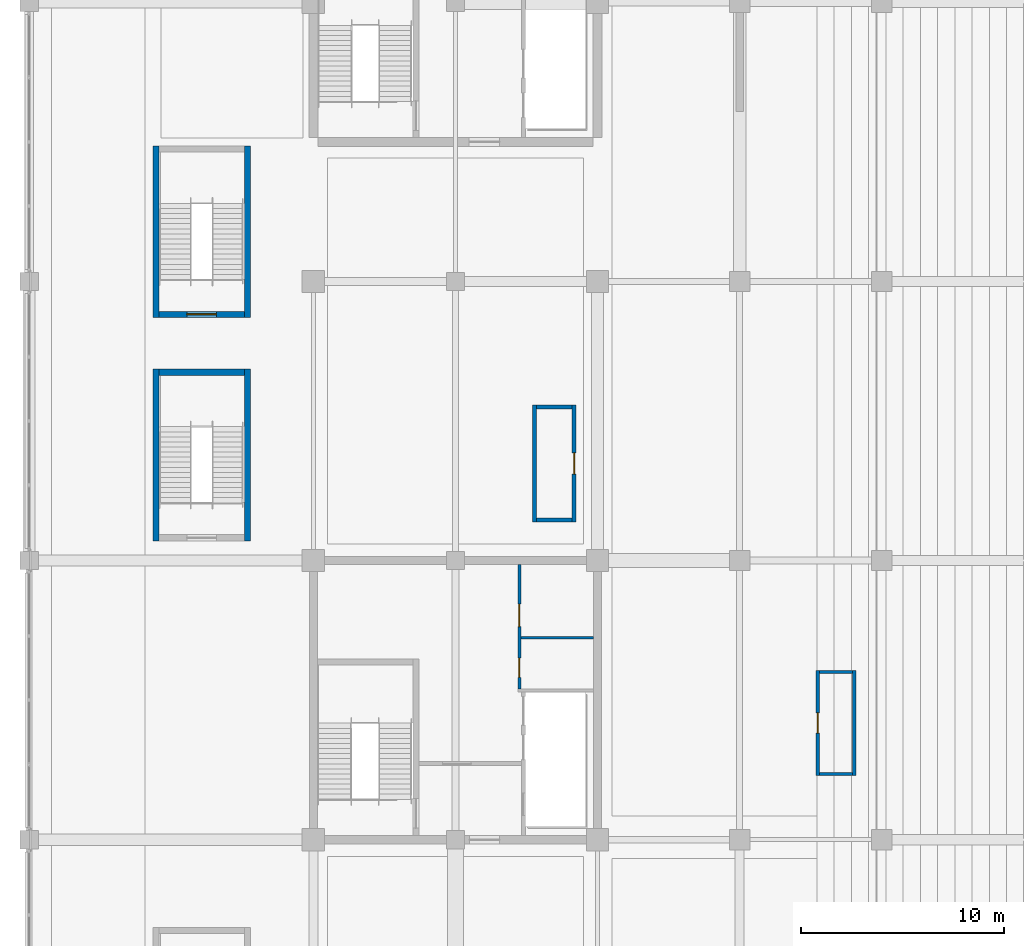
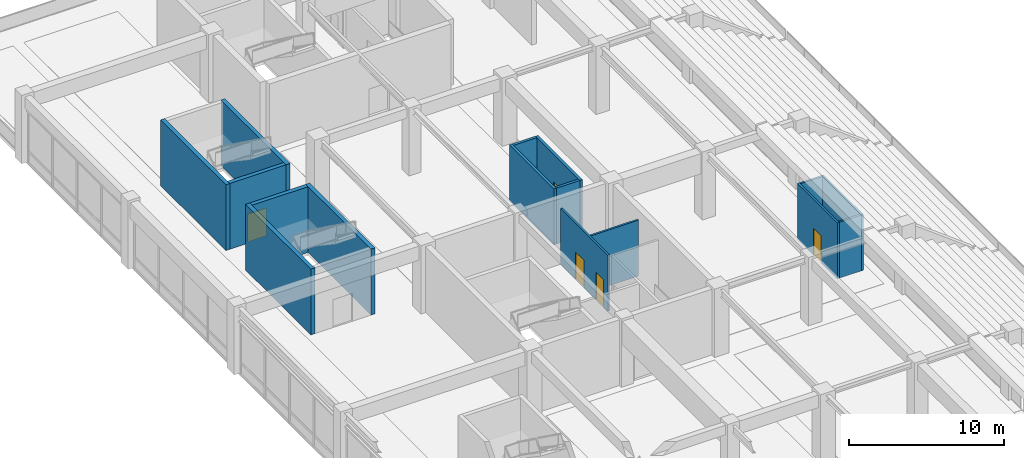
# One storey, part 91 of 117: 16 walls, 5 doors, 5 openings.
"""IFC4 building model written with IfcOpenShell, lengths in metres."""

import ifcopenshell
import ifcopenshell.guid

model = None  # the IFC model being written
_history = None  # IfcOwnerHistory: only IFC2X3 demands one
_inside = {}  # id of a spatial element -> (the spatial element, [elements in it])
_under = {}  # id of a project, library or spatial element -> (it, [spatial elements below it])
_declared = {}  # id of a project -> (the project, [libraries it declares])
_typed = {}  # id of a type object -> (the type object, [elements of that type])
_made_of = {}  # id of a material, layer set ... -> (it, [elements and type objects made of it])


def new_model(schema):
    """Start an empty IFC model of exactly this schema.

    Asked for "IFC4X3", IfcOpenShell would pick the latest addendum, in which some entities
    have other attributes; the version numbers below select the first issue.
    IFC2X3 requires an IfcOwnerHistory on every rooted entity: one is made here for all.
    """
    global model, _history
    if schema == "IFC4X3":
        model = ifcopenshell.file(schema_version=(4, 3, 0, 0))
    else:
        model = ifcopenshell.file(schema=schema)
    _inside.clear()
    _under.clear()
    _declared.clear()
    _typed.clear()
    _made_of.clear()
    _history = None
    if model.schema == "IFC2X3":
        org = make("IfcOrganization", Name="unknown")
        user = make(
            "IfcPersonAndOrganization",
            ThePerson=make("IfcPerson", FamilyName="unknown"),
            TheOrganization=org,
        )
        app = make(
            "IfcApplication",
            ApplicationDeveloper=org,
            Version="unknown",
            ApplicationFullName="unknown",
            ApplicationIdentifier="unknown",
        )
        _history = make(
            "IfcOwnerHistory",
            OwningUser=user,
            OwningApplication=app,
            ChangeAction="ADDED",
            CreationDate=0,
        )
    return model


def make(cls, **values):
    """One entity of the class cls with the attributes given. An attribute that is None is left unset."""
    return model.create_entity(
        cls, **{name: value for name, value in values.items() if value is not None}
    )


def rooted(cls, **values):
    """An entity with a GlobalId (a new one), such as an element, a storey or a relation."""
    return make(cls, GlobalId=ifcopenshell.guid.new(), OwnerHistory=_history, **values)


def si_unit(unit_type, name, prefix=None):
    """IfcSIUnit, for example si_unit("LENGTHUNIT", "METRE", prefix="MILLI")."""
    return make("IfcSIUnit", UnitType=unit_type, Prefix=prefix, Name=name)


def assignment(units):
    """IfcUnitAssignment: the units of a project."""
    return None if units is None else make("IfcUnitAssignment", Units=units)


def point(xyz):
    """IfcCartesianPoint."""
    return None if xyz is None else make("IfcCartesianPoint", Coordinates=xyz)


def direction(xyz):
    """IfcDirection."""
    return None if xyz is None else make("IfcDirection", DirectionRatios=xyz)


def frame(location, z_axis=None, x_axis=None):
    """IfcAxis2Placement3D, a coordinate frame: its origin and axes. An axis left out is left unset."""
    return make(
        "IfcAxis2Placement3D",
        Location=point(location),
        Axis=direction(z_axis),
        RefDirection=direction(x_axis),
    )


def frame_2d(location, x_axis=None):
    """IfcAxis2Placement2D, a coordinate frame in the plane: its origin and x axis."""
    return make(
        "IfcAxis2Placement2D", Location=point(location), RefDirection=direction(x_axis)
    )


def origin():
    """The frame at (0, 0, 0) with its axes left unset."""
    return frame((0.0, 0.0, 0.0))


def place(relative_to, where):
    """IfcLocalPlacement: puts the frame where relative to a parent placement (None: the world)."""
    return make(
        "IfcLocalPlacement", PlacementRelTo=relative_to, RelativePlacement=where
    )


def context(
    kind, dimensions, precision=None, world=None, true_north=None, identifier=None
):
    """IfcGeometricRepresentationContext, for example the 3D "Model" context."""
    return make(
        "IfcGeometricRepresentationContext",
        ContextIdentifier=identifier,
        ContextType=kind,
        CoordinateSpaceDimension=dimensions,
        Precision=precision,
        WorldCoordinateSystem=world,
        TrueNorth=true_north,
    )


def subcontext(parent, identifier, kind, view, scale=None):
    """IfcGeometricRepresentationSubContext, for example "Body" below "Model"."""
    return make(
        "IfcGeometricRepresentationSubContext",
        ContextIdentifier=identifier,
        ContextType=kind,
        ParentContext=parent,
        TargetScale=scale,
        TargetView=view,
    )


def project(units=None, contexts=None):
    """IfcProject with its units and contexts."""
    return rooted(
        "IfcProject",
        Name="project",
        RepresentationContexts=contexts,
        UnitsInContext=assignment(units),
    )


def spatial(cls, under=None, at=None, **own):
    """A site, building, storey or space (cls), placed at a placement, below another one or the project."""
    s = rooted(cls, ObjectPlacement=at, **own)
    if under is not None:
        _under.setdefault(under.id(), (under, []))[1].append(s)
    return s


def profile(cls, at=None, kind="AREA", **sizes):
    """A parametric profile (cls). Its sizes go by their IFC names, for example OverallWidth=200.0."""
    return make(cls, ProfileType=kind, Position=at, **sizes)


def rectangle(**sizes):
    """IfcRectangleProfileDef."""
    return profile("IfcRectangleProfileDef", **sizes)


def extrude(swept, where, along, depth):
    """IfcExtrudedAreaSolid: the profile swept, set in the frame where, extruded along a direction by depth."""
    return make(
        "IfcExtrudedAreaSolid",
        SweptArea=swept,
        Position=where,
        ExtrudedDirection=direction(along),
        Depth=depth,
    )


def shape(context_of_items, identifier, shape_type, items):
    """IfcShapeRepresentation: the items that make up one representation, for example the "Body"."""
    return make(
        "IfcShapeRepresentation",
        ContextOfItems=context_of_items,
        RepresentationIdentifier=identifier,
        RepresentationType=shape_type,
        Items=items,
    )


def material(Name=None, Category=None):
    """IfcMaterial."""
    return make("IfcMaterial", Name=Name, Category=Category)


def layer(
    of_material, thickness, ventilated=None, Name=None, Category=None, Priority=None
):
    """IfcMaterialLayer: one layer of a wall or slab, of a material (None: an air gap)."""
    return make(
        "IfcMaterialLayer",
        Material=of_material,
        LayerThickness=thickness,
        IsVentilated=ventilated,
        Name=Name,
        Category=Category,
        Priority=Priority,
    )


def layer_set(layers, Name=None):
    """IfcMaterialLayerSet."""
    return make("IfcMaterialLayerSet", MaterialLayers=layers, LayerSetName=Name)


def made_of(thing, what):
    """Note that an element or type object is made of a material, layer set ...; save() writes the relation."""
    if what is not None:
        _made_of.setdefault(what.id(), (what, []))[1].append(thing)
    return thing


def type_object(cls, material=None, **own):
    """A type object (cls), such as IfcWallType, which elements share."""
    return made_of(rooted(cls, **own), material)


def element(
    cls,
    number,
    at=None,
    inside=None,
    cuts=None,
    type_object=None,
    material=None,
    context=None,
    identifier="Body",
    shape_type=None,
    held_by="IfcProductDefinitionShape",
    body=None,
    shapes=None,
    **own,
):
    """One element of the class cls, such as IfcWall. Its Tag is "e" and its number.

    at: its placement. inside: the storey or other place that contains it. cuts: it is an
    opening in that element (IfcRelVoidsElement). A single representation is given by context,
    identifier, shape_type and body (its items); several are given by shapes. held_by: the class
    of the entity that holds the representations. save() writes the other relations.
    """
    e = rooted(cls, Tag="e%d" % number, ObjectPlacement=at, **own)
    if body is not None:
        shapes = [shape(context, identifier, shape_type, body)]
    if shapes is not None:
        e.Representation = make(held_by, Representations=shapes)
    if inside is not None:
        _inside.setdefault(inside.id(), (inside, []))[1].append(e)
    if cuts is not None:
        rooted(
            "IfcRelVoidsElement", RelatingBuildingElement=cuts, RelatedOpeningElement=e
        )
    if type_object is not None:
        _typed.setdefault(type_object.id(), (type_object, []))[1].append(e)
    return made_of(e, material)


def fill(opening, filler):
    """IfcRelFillsElement: the door or window that sits in an opening."""
    return rooted(
        "IfcRelFillsElement",
        RelatingOpeningElement=opening,
        RelatedBuildingElement=filler,
    )


def aggregate(whole, parts):
    """IfcRelAggregates: a whole, such as a stair, and the parts it consists of."""
    return rooted("IfcRelAggregates", RelatingObject=whole, RelatedObjects=parts)


def save(model, path):
    """Write the relations noted so far, then the file.

    IfcRelAggregates (storeys below a building ...), IfcRelContainedInSpatialStructure (elements
    in a storey), IfcRelDefinesByType, IfcRelAssociatesMaterial and IfcRelDeclares: one each for
    every whole, place, type object, material and project.
    """
    for whole, parts in _under.values():
        aggregate(whole, parts)
    for where, things in _inside.values():
        rooted(
            "IfcRelContainedInSpatialStructure",
            RelatedElements=things,
            RelatingStructure=where,
        )
    for kind, things in _typed.values():
        rooted("IfcRelDefinesByType", RelatedObjects=things, RelatingType=kind)
    for what, things in _made_of.values():
        rooted("IfcRelAssociatesMaterial", RelatedObjects=things, RelatingMaterial=what)
    for by, libraries in _declared.values():
        rooted("IfcRelDeclares", RelatingContext=by, RelatedDefinitions=libraries)
    model.write(path)


model = new_model("IFC4")

# Units and contexts
model_context = context("Model", 3, precision=1e-05, world=origin(), true_north=direction((0.0, 1.0)))
body_context = subcontext(model_context, "Body", "Model", "MODEL_VIEW")
ifc_project = project(units=[si_unit("LENGTHUNIT", "METRE"), si_unit("AREAUNIT", "SQUARE_METRE"), si_unit("VOLUMEUNIT", "CUBIC_METRE"), si_unit("PLANEANGLEUNIT", "RADIAN"), si_unit("MASSUNIT", "GRAM", prefix="KILO")], contexts=[model_context])

# Site, building, storey
site_placement = place(None, origin())
site = spatial("IfcSite", under=ifc_project, at=site_placement, CompositionType="ELEMENT")
building_placement = place(site_placement, origin())
building = spatial("IfcBuilding", under=site, at=building_placement, Name="Linyun Crest Stadium", CompositionType="ELEMENT")
storey_placement = place(building_placement, frame((0.0, 0.0, 6.0)))
storey = spatial("IfcBuildingStorey", under=building, at=storey_placement, Name="L02", CompositionType="ELEMENT", Elevation=6.0)

# Wall, openings, doors
ifc_material_1 = material(Name="Moisture-resistant ceramic-tiled wet-room wall")
ifc_layer_1 = layer(ifc_material_1, 0.139892578125)
ifc_layer_set_1 = layer_set([ifc_layer_1], Name="Moisture-resistant ceramic-tiled wet-room wall")
wall_type_1 = type_object("IfcWallType", Name="PW15", PredefinedType="PARTITIONING", material=ifc_layer_set_1)
wall_1_placement = place(storey_placement, frame((-73.85009765625, 9.544921875, 0.0), z_axis=(0.0, 0.0, 1.0), x_axis=(0.0, 1.0, 0.0)))
wall_1 = element("IfcWall", 1, at=wall_1_placement, inside=storey, type_object=wall_type_1, Name="Partition PW15 L02 30", PredefinedType="PARTITIONING", context=body_context, shape_type="SweptSolid", body=[
    extrude(rectangle(XDim=6.130126953125, YDim=0.139892578125, at=frame_2d((3.06494140625, 0.0))), origin(), (0.0, 0.0, 1.0), 4.419921875),
])
opening_1_placement = place(wall_1_placement, frame((0.580078125, 0.0, 0.0)))
opening_1 = element("IfcOpeningElement", 2, at=opening_1_placement, cuts=wall_1, Name="Opening D-L02-072", PredefinedType="OPENING", context=body_context, shape_type="SweptSolid", body=[
    extrude(rectangle(XDim=0.949951171875, YDim=2.14990234375, at=frame_2d((0.47509765625, 1.074951171875))), frame((0.0, 0.079833984375, 0.0), z_axis=(0.0, -1.0, 0.0), x_axis=(1.0, 0.0, 0.0)), (0.0, 0.0, 1.0), 0.159912109375),
])
opening_2_placement = place(wall_1_placement, frame((3.080078125, 0.0, 0.0)))
opening_2 = element("IfcOpeningElement", 3, at=opening_2_placement, cuts=wall_1, Name="Opening D-L02-073", PredefinedType="OPENING", context=body_context, shape_type="SweptSolid", body=[
    extrude(rectangle(XDim=1.10009765625, YDim=2.14990234375, at=frame_2d((0.550048828125, 1.074951171875))), frame((0.0, 0.079833984375, 0.0), z_axis=(0.0, -1.0, 0.0), x_axis=(1.0, 0.0, 0.0)), (0.0, 0.0, 1.0), 0.159912109375),
])
ifc_material_2 = material(Name="Moisture-resistant laminate leaf")
ifc_layer_2 = layer(ifc_material_2, 0.044921875)
ifc_layer_set_2 = layer_set([ifc_layer_2], Name="Moisture-resistant laminate leaf")
door_type_1 = type_object("IfcDoorType", Name="ID02", OperationType="NOTDEFINED", PredefinedType="DOOR", material=ifc_layer_set_2)
door_1_placement = place(opening_1_placement, origin())
door_1 = element("IfcDoor", 4, at=door_1_placement, inside=storey, type_object=door_type_1, Name="Door D-L02-072", OperationType="SINGLE_SWING_RIGHT", OverallHeight=2.14990234375, OverallWidth=0.949951171875, PredefinedType="DOOR", context=body_context, shape_type="SweptSolid", body=[
    extrude(rectangle(XDim=0.949951171875, YDim=2.14990234375, at=frame_2d((0.47509765625, 1.074951171875))), frame((0.0, 0.02490234375, 0.0), z_axis=(0.0, -1.0, 0.0), x_axis=(1.0, 0.0, 0.0)), (0.0, 0.0, 1.0), 0.050048828125),
])
fill(opening_1, door_1)
ifc_material_3 = material(Name="Moisture-resistant laminate leaf")
ifc_layer_3 = layer(ifc_material_3, 0.044921875)
ifc_layer_set_3 = layer_set([ifc_layer_3], Name="Moisture-resistant laminate leaf")
door_type_2 = type_object("IfcDoorType", Name="ID03", OperationType="NOTDEFINED", PredefinedType="DOOR", material=ifc_layer_set_3)
door_2_placement = place(opening_2_placement, origin())
door_2 = element("IfcDoor", 5, at=door_2_placement, inside=storey, type_object=door_type_2, Name="Door D-L02-073", OperationType="SINGLE_SWING_LEFT", OverallHeight=2.14990234375, OverallWidth=1.10009765625, PredefinedType="DOOR", context=body_context, shape_type="SweptSolid", body=[
    extrude(rectangle(XDim=1.10009765625, YDim=2.14990234375, at=frame_2d((0.550048828125, 1.074951171875))), frame((0.0, 0.02490234375, 0.0), z_axis=(0.0, -1.0, 0.0), x_axis=(1.0, 0.0, 0.0)), (0.0, 0.0, 1.0), 0.050048828125),
])
fill(opening_2, door_2)

# Wall
wall_2_placement = place(storey_placement, frame((-73.780029296875, 12.074951171875, 0.0), z_axis=(0.0, 0.0, 1.0), x_axis=(1.0, 0.0, 0.0)))
element("IfcWall", 6, at=wall_2_placement, inside=storey, type_object=wall_type_1, Name="Enclosure partition PW15 L02 20", PredefinedType="PARTITIONING", context=body_context, shape_type="SweptSolid", body=[
    extrude(rectangle(XDim=3.580078125, YDim=0.139892578125, at=frame_2d((1.7900390625, 0.0))), origin(), (0.0, 0.0, 1.0), 4.419921875),
])

# Wall, opening, door
ifc_material_4 = material(Name="Medical and doping-control hygienic partition")
ifc_layer_4 = layer(ifc_material_4, 0.155029296875)
ifc_layer_set_4 = layer_set([ifc_layer_4], Name="Medical and doping-control hygienic partition")
wall_type_2 = type_object("IfcWallType", Name="PW23", PredefinedType="PARTITIONING", material=ifc_layer_set_4)
wall_3_placement = place(storey_placement, frame((-59.156005859375, 5.287109375, 0.0), z_axis=(0.0, 0.0, 1.0), x_axis=(0.0, 1.0, 0.0)))
wall_3 = element("IfcWall", 7, at=wall_3_placement, inside=storey, type_object=wall_type_2, Name="Partition PW23 L02 183", PredefinedType="PARTITIONING", context=body_context, shape_type="SweptSolid", body=[
    extrude(rectangle(XDim=5.179931640625, YDim=0.155029296875, at=frame_2d((2.58984375, 0.0))), origin(), (0.0, 0.0, 1.0), 4.419921875),
])
opening_3_placement = place(wall_3_placement, frame((2.090087890625, 0.0, 0.0)))
opening_3 = element("IfcOpeningElement", 8, at=opening_3_placement, cuts=wall_3, Name="Opening D-L02-446", PredefinedType="OPENING", context=body_context, shape_type="SweptSolid", body=[
    extrude(rectangle(XDim=1.0, YDim=2.14990234375, at=frame_2d((0.5, 1.074951171875))), frame((0.0, 0.08740234375, 0.0), z_axis=(0.0, -1.0, 0.0), x_axis=(1.0, 0.0, 0.0)), (0.0, 0.0, 1.0), 0.175048828125),
])
ifc_material_5 = material(Name="Hardwood veneer acoustic leaf", Category="wood")
ifc_layer_5 = layer(ifc_material_5, 0.044921875)
ifc_layer_set_5 = layer_set([ifc_layer_5], Name="Hardwood veneer acoustic leaf")
door_type_3 = type_object("IfcDoorType", Name="ID01", OperationType="NOTDEFINED", PredefinedType="DOOR", material=ifc_layer_set_5)
door_3_placement = place(opening_3_placement, origin())
door_3 = element("IfcDoor", 9, at=door_3_placement, inside=storey, type_object=door_type_3, Name="Door D-L02-446", OperationType="SINGLE_SWING_RIGHT", OverallHeight=2.14990234375, OverallWidth=1.0, PredefinedType="DOOR", context=body_context, shape_type="SweptSolid", body=[
    extrude(rectangle(XDim=1.0, YDim=2.14990234375, at=frame_2d((0.5, 1.074951171875))), frame((0.0, 0.02490234375, 0.0), z_axis=(0.0, -1.0, 0.0), x_axis=(1.0, 0.0, 0.0)), (0.0, 0.0, 1.0), 0.050048828125),
])
fill(opening_3, door_3)

# Walls
wall_4_placement = place(storey_placement, frame((-57.35595703125, 5.287109375, 0.0), z_axis=(0.0, 0.0, 1.0), x_axis=(0.0, 1.0, 0.0)))
element("IfcWall", 10, at=wall_4_placement, inside=storey, type_object=wall_type_2, Name="Enclosure partition PW23 L02 265", PredefinedType="PARTITIONING", context=body_context, shape_type="SweptSolid", body=[
    extrude(rectangle(XDim=5.179931640625, YDim=0.155029296875, at=frame_2d((2.58984375, 0.0))), origin(), (0.0, 0.0, 1.0), 4.419921875),
])
for number, where, z_axis, x_axis, name in (
    (11, (-59.077880859375, 5.364990234375, 0.0), (0.0, 0.0, 1.0), (1.0, 0.0, 0.0), "Enclosure partition PW23 L02 266"),
    (12, (-59.077880859375, 10.388916015625, 0.0), (0.0, 0.0, 1.0), (1.0, 0.0, 0.0), "Enclosure partition PW23 L02 267"),
):
    element("IfcWall", number, at=place(storey_placement, frame(where, z_axis=z_axis, x_axis=x_axis)), inside=storey, type_object=wall_type_2, Name=name, PredefinedType="PARTITIONING", context=body_context, shape_type="SweptSolid", body=[
        extrude(rectangle(XDim=1.643798828125, YDim=0.155029296875, at=frame_2d((0.82177734375, 0.0))), origin(), (0.0, 0.0, 1.0), 4.419921875),
    ])

# Wall, opening, door
ifc_material_6 = material(Name="Ticketing hall security partition")
ifc_layer_6 = layer(ifc_material_6, 0.18994140625)
ifc_layer_set_6 = layer_set([ifc_layer_6], Name="Ticketing hall security partition")
wall_type_3 = type_object("IfcWallType", Name="PW25", PredefinedType="PARTITIONING", material=ifc_layer_set_6)
wall_5_placement = place(storey_placement, frame((-71.158935546875, 23.541015625, 0.0), z_axis=(0.0, 0.0, 1.0), x_axis=(0.0, -1.0, 0.0)))
wall_5 = element("IfcWall", 13, at=wall_5_placement, inside=storey, type_object=wall_type_3, Name="Partition PW25 L02 185", PredefinedType="PARTITIONING", context=body_context, shape_type="SweptSolid", body=[
    extrude(rectangle(XDim=5.760009765625, YDim=0.18994140625, at=frame_2d((2.8798828125, 0.0))), origin(), (0.0, 0.0, 1.0), 4.419921875),
])
opening_4_placement = place(wall_5_placement, frame((2.35498046875, 0.0, 0.0)))
opening_4 = element("IfcOpeningElement", 14, at=opening_4_placement, cuts=wall_5, Name="Opening D-L02-448", PredefinedType="OPENING", context=body_context, shape_type="SweptSolid", body=[
    extrude(rectangle(XDim=1.050048828125, YDim=2.25, at=frame_2d((0.52490234375, 1.125))), frame((0.0, 0.10498046875, 0.0), z_axis=(0.0, -1.0, 0.0), x_axis=(1.0, 0.0, 0.0)), (0.0, 0.0, 1.0), 0.2099609375),
])
ifc_material_7 = material(Name="Walnut and brass Art Nouveau door")
ifc_layer_7 = layer(ifc_material_7, 0.050048828125)
ifc_layer_set_7 = layer_set([ifc_layer_7], Name="Walnut and brass Art Nouveau door")
door_type_4 = type_object("IfcDoorType", Name="ID05", OperationType="NOTDEFINED", PredefinedType="DOOR", material=ifc_layer_set_7)
door_4_placement = place(opening_4_placement, origin())
door_4 = element("IfcDoor", 15, at=door_4_placement, inside=storey, type_object=door_type_4, Name="Door D-L02-448", OperationType="SINGLE_SWING_RIGHT", OverallHeight=2.25, OverallWidth=1.050048828125, PredefinedType="DOOR", context=body_context, shape_type="SweptSolid", body=[
    extrude(rectangle(XDim=1.050048828125, YDim=2.25, at=frame_2d((0.52490234375, 1.125))), frame((0.0, 0.02490234375, 0.0), z_axis=(0.0, -1.0, 0.0), x_axis=(1.0, 0.0, 0.0)), (0.0, 0.0, 1.0), 0.050048828125),
])
fill(opening_4, door_4)

# Walls
wall_6_placement = place(storey_placement, frame((-73.09912109375, 17.781005859375, 0.0), z_axis=(0.0, 0.0, 1.0), x_axis=(0.0, 1.0, 0.0)))
element("IfcWall", 16, at=wall_6_placement, inside=storey, type_object=wall_type_3, Name="Enclosure partition PW25 L02 271", PredefinedType="PARTITIONING", context=body_context, shape_type="SweptSolid", body=[
    extrude(rectangle(XDim=5.760009765625, YDim=0.18994140625, at=frame_2d((2.8798828125, 0.0))), origin(), (0.0, 0.0, 1.0), 4.419921875),
])
for number, where, z_axis, x_axis, name in (
    (17, (-73.00390625, 17.8759765625, 0.0), (0.0, 0.0, 1.0), (1.0, 0.0, 0.0), "Enclosure partition PW25 L02 272"),
    (18, (-73.00390625, 23.446044921875, 0.0), (0.0, 0.0, 1.0), (1.0, 0.0, 0.0), "Enclosure partition PW25 L02 273"),
):
    element("IfcWall", number, at=place(storey_placement, frame(where, z_axis=z_axis, x_axis=x_axis)), inside=storey, type_object=wall_type_3, Name=name, PredefinedType="PARTITIONING", context=body_context, shape_type="SweptSolid", body=[
        extrude(rectangle(XDim=1.75, YDim=0.18994140625, at=frame_2d((0.875, 0.0))), origin(), (0.0, 0.0, 1.0), 4.419921875),
    ])
ifc_material_8 = material(Name="Concrete C50", Category="concrete")
ifc_layer_8 = layer(ifc_material_8, 0.300048828125)
ifc_layer_set_8 = layer_set([ifc_layer_8], Name="Concrete C50")
wall_type_4 = type_object("IfcWallType", Name="SW01", PredefinedType="SHEAR", material=ifc_layer_set_8)
wall_7_placement = place(storey_placement, frame((-91.60009765625, 25.14990234375, 0.0), z_axis=(0.0, 0.0, 1.0), x_axis=(1.0, 0.0, 0.0)))
element("IfcWall", 19, at=wall_7_placement, inside=storey, type_object=wall_type_4, Name="Stair shaft wall SW01 STR-16 L02 N", PredefinedType="SHEAR", context=body_context, shape_type="SweptSolid", body=[
    extrude(rectangle(XDim=4.2001953125, YDim=0.300048828125, at=frame_2d((2.10009765625, 0.0))), origin(), (0.0, 0.0, 1.0), 5.199951171875),
])
for number, where, z_axis, x_axis, name in (
    (20, (-91.75, 16.85009765625, 0.0), (0.0, 0.0, 1.0), (0.0, 1.0, 0.0), "Stair shaft wall SW01 STR-16 L02 W"),
    (21, (-87.25, 16.85009765625, 0.0), (0.0, 0.0, 1.0), (0.0, 1.0, 0.0), "Stair shaft wall SW01 STR-16 L02 E"),
):
    element("IfcWall", number, at=place(storey_placement, frame(where, z_axis=z_axis, x_axis=x_axis)), inside=storey, type_object=wall_type_4, Name=name, PredefinedType="SHEAR", context=body_context, shape_type="SweptSolid", body=[
        extrude(rectangle(XDim=8.449951171875, YDim=0.300048828125, at=frame_2d((4.22509765625, 0.0))), origin(), (0.0, 0.0, 1.0), 5.199951171875),
    ])

# Wall, opening, door
wall_8_placement = place(storey_placement, frame((-91.60009765625, 28.0, 0.0), z_axis=(0.0, 0.0, 1.0), x_axis=(1.0, 0.0, 0.0)))
wall_8 = element("IfcWall", 22, at=wall_8_placement, inside=storey, type_object=wall_type_4, Name="Stair shaft wall SW01 STR-17 L02 S", PredefinedType="SHEAR", context=body_context, shape_type="SweptSolid", body=[
    extrude(rectangle(XDim=4.2001953125, YDim=0.300048828125, at=frame_2d((2.10009765625, 0.0))), origin(), (0.0, 0.0, 1.0), 5.199951171875),
])
opening_5_placement = place(wall_8_placement, frame((1.375, 0.0, 0.0)))
opening_5 = element("IfcOpeningElement", 23, at=opening_5_placement, cuts=wall_8, Name="Opening D-L02-563", PredefinedType="OPENING", context=body_context, shape_type="SweptSolid", body=[
    extrude(rectangle(XDim=1.449951171875, YDim=2.199951171875, at=frame_2d((0.72509765625, 1.10009765625))), frame((0.0, 0.159912109375, 0.0), z_axis=(0.0, -1.0, 0.0), x_axis=(1.0, 0.0, 0.0)), (0.0, 0.0, 1.0), 0.320068359375),
])
ifc_material_9 = material(Name="Galvanized steel Class A fire door", Category="steel")
ifc_layer_9 = layer(ifc_material_9, 0.054931640625)
ifc_layer_set_9 = layer_set([ifc_layer_9], Name="Galvanized steel Class A fire door")
door_type_5 = type_object("IfcDoorType", Name="FD02", OperationType="NOTDEFINED", PredefinedType="DOOR", material=ifc_layer_set_9)
door_5_placement = place(opening_5_placement, origin())
door_5 = element("IfcDoor", 24, at=door_5_placement, inside=storey, type_object=door_type_5, Name="Door D-L02-563", OperationType="SINGLE_SWING_LEFT", OverallHeight=2.199951171875, OverallWidth=1.449951171875, PredefinedType="DOOR", context=body_context, shape_type="SweptSolid", body=[
    extrude(rectangle(XDim=1.449951171875, YDim=2.199951171875, at=frame_2d((0.72509765625, 1.10009765625))), frame((0.0, 0.02490234375, 0.0), z_axis=(0.0, -1.0, 0.0), x_axis=(1.0, 0.0, 0.0)), (0.0, 0.0, 1.0), 0.050048828125),
])
fill(opening_5, door_5)

# Walls
for number, where, z_axis, x_axis, name in (
    (25, (-91.75, 27.85009765625, 0.0), (0.0, 0.0, 1.0), (0.0, 1.0, 0.0), "Stair shaft wall SW01 STR-17 L02 W"),
    (26, (-87.25, 27.85009765625, 0.0), (0.0, 0.0, 1.0), (0.0, 1.0, 0.0), "Stair shaft wall SW01 STR-17 L02 E"),
):
    element("IfcWall", number, at=place(storey_placement, frame(where, z_axis=z_axis, x_axis=x_axis)), inside=storey, type_object=wall_type_4, Name=name, PredefinedType="SHEAR", context=body_context, shape_type="SweptSolid", body=[
        extrude(rectangle(XDim=8.449951171875, YDim=0.300048828125, at=frame_2d((4.22509765625, 0.0))), origin(), (0.0, 0.0, 1.0), 5.199951171875),
    ])

save(model, "model.ifc")
